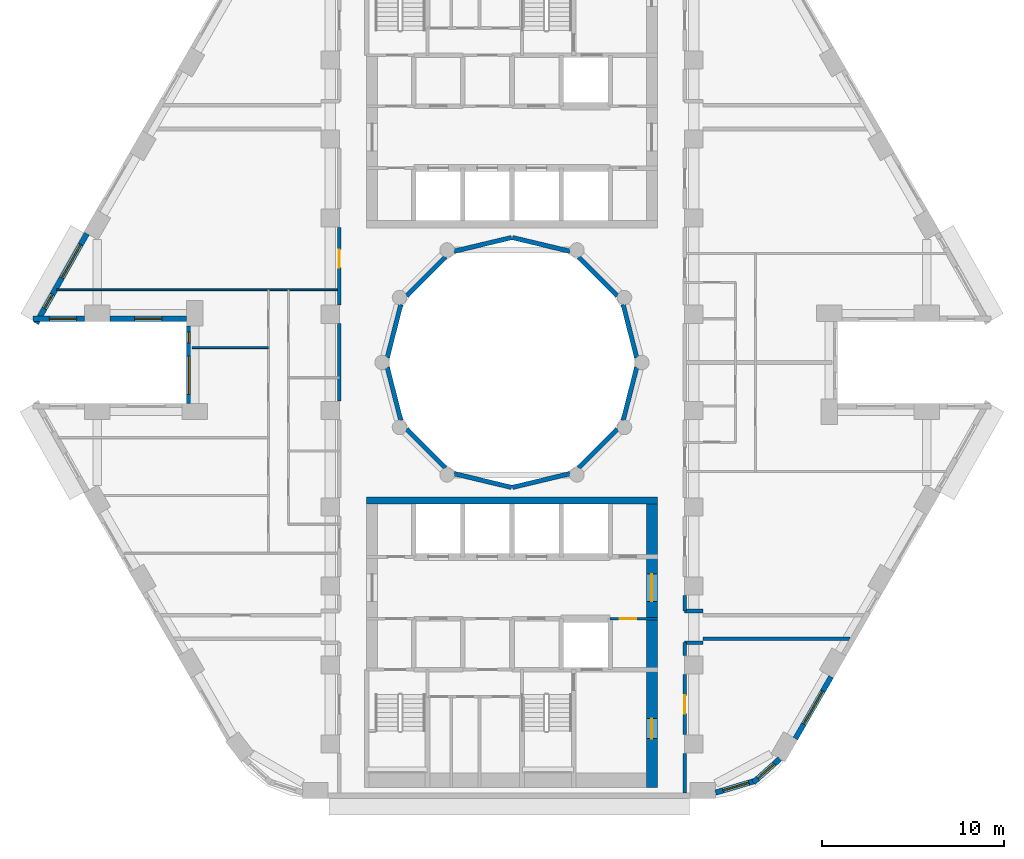
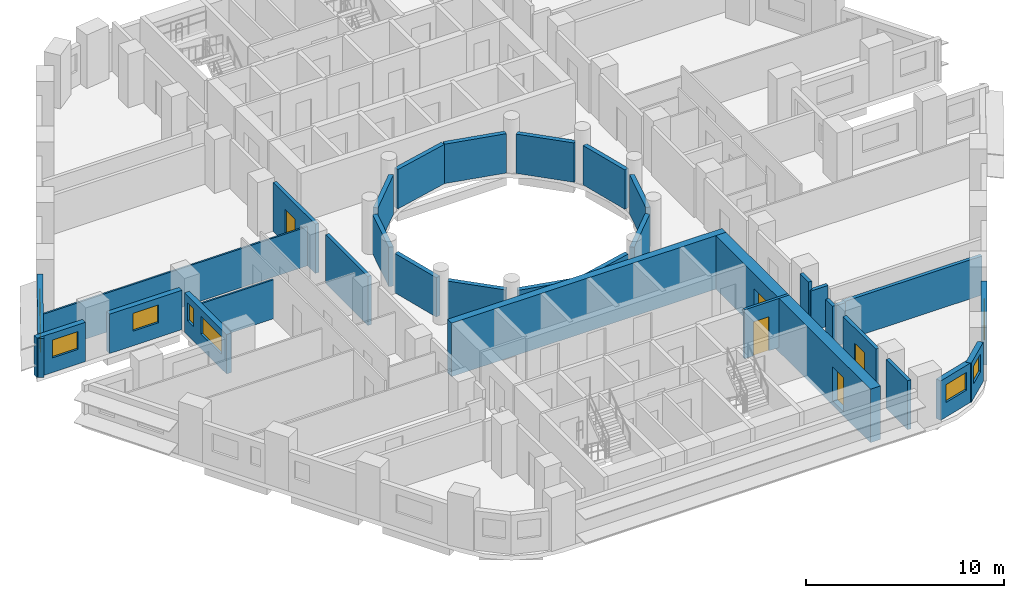
# One storey, part 5 of 12: 33 walls, 9 windows, 5 doors, 14 openings.
"""IFC4 building model written with IfcOpenShell, lengths in metres."""

from ifc_helpers import new_model, si_unit, direction, frame, frame_2d, origin, place, context, subcontext, project, spatial, rectangle, extrude, material, layer, layer_set, type_object, element, fill, save


model = new_model("IFC4")

# Units and contexts
model_context = context("Model", 3, precision=1e-05, world=origin(), true_north=direction((0.0, 1.0)))
body_context = subcontext(model_context, "Body", "Model", "MODEL_VIEW")
ifc_project = project(units=[si_unit("LENGTHUNIT", "METRE"), si_unit("AREAUNIT", "SQUARE_METRE"), si_unit("VOLUMEUNIT", "CUBIC_METRE"), si_unit("PLANEANGLEUNIT", "RADIAN"), si_unit("MASSUNIT", "GRAM", prefix="KILO")], contexts=[model_context])

# Site, building, storey
site_placement = place(None, origin())
site = spatial("IfcSite", under=ifc_project, at=site_placement, CompositionType="ELEMENT")
building_placement = place(site_placement, origin())
building = spatial("IfcBuilding", under=site, at=building_placement, Name="Nakaniwa Court", CompositionType="ELEMENT")
storey_placement = place(building_placement, frame((0.0, 0.0, 90.89990234375)))
storey = spatial("IfcBuildingStorey", under=building, at=storey_placement, Name="L23", CompositionType="ELEMENT", Elevation=90.89990234375)

# Wall
ifc_material_1 = material(Name="Acoustic double stud partition")
ifc_layer_1 = layer(ifc_material_1, 0.199951171875)
ifc_layer_set_1 = layer_set([ifc_layer_1], Name="Acoustic double stud partition")
wall_type_1 = type_object("IfcWallType", Name="Acoustic double stud partition 200", PredefinedType="PARTITIONING", material=ifc_layer_set_1)
wall_1_placement = place(storey_placement, frame((89.5, 56.300048828125, 0.0), z_axis=(0.0, 0.0, 1.0), x_axis=(0.0, 1.0, 0.0)))
element("IfcWall", 1, at=wall_1_placement, inside=storey, type_object=wall_type_1, Name="Partition PW-069", PredefinedType="PARTITIONING", context=body_context, shape_type="SweptSolid", body=[
    extrude(rectangle(XDim=2.182861328125, YDim=0.199951171875, at=frame_2d((1.09130859375, 0.0))), origin(), (0.0, 0.0, 1.0), 3.025146484375),
])

# Wall, opening, door
wall_2_placement = place(storey_placement, frame((89.5, 62.8330078125, 0.0), z_axis=(0.0, 0.0, 1.0), x_axis=(0.0, -1.0, 0.0)))
wall_2 = element("IfcWall", 2, at=wall_2_placement, inside=storey, type_object=wall_type_1, Name="Partition PW-070", PredefinedType="PARTITIONING", context=body_context, shape_type="SweptSolid", body=[
    extrude(rectangle(XDim=3.31591796875, YDim=0.199951171875, at=frame_2d((1.657958984375, 0.0))), origin(), (0.0, 0.0, 1.0), 3.025146484375),
])
opening_1_placement = place(wall_2_placement, frame((1.157958984375, 0.0, 0.0)))
opening_1 = element("IfcOpeningElement", 3, at=opening_1_placement, cuts=wall_2, Name="Opening D-02-01", PredefinedType="OPENING", context=body_context, shape_type="SweptSolid", body=[
    extrude(rectangle(XDim=1.0, YDim=2.10009765625, at=frame_2d((0.5, 1.050048828125))), frame((0.0, 0.10986328125, 0.0), z_axis=(0.0, -1.0, 0.0), x_axis=(1.0, 0.0, 0.0)), (0.0, 0.0, 1.0), 0.219970703125),
])
ifc_material_2 = material(Name="Solid core timber door set, black veneer", Category="wood")
door_type_1 = type_object("IfcDoorType", Name="Internal door 1000", OperationType="NOTDEFINED", PredefinedType="DOOR", material=ifc_material_2)
door_1_placement = place(opening_1_placement, origin())
door_1 = element("IfcDoor", 4, at=door_1_placement, inside=storey, type_object=door_type_1, Name="Door D-02-01 L23-027", OperationType="SINGLE_SWING_RIGHT", OverallHeight=2.10009765625, OverallWidth=1.0, PredefinedType="DOOR", context=body_context, shape_type="SweptSolid", body=[
    extrude(rectangle(XDim=1.0, YDim=2.10009765625, at=frame_2d((0.5, 1.050048828125))), frame((0.0, 0.02490234375, 0.0), z_axis=(0.0, -1.0, 0.0), x_axis=(1.0, 0.0, 0.0)), (0.0, 0.0, 1.0), 0.050048828125),
])
fill(opening_1, door_1)

# Walls
wall_3_placement = place(storey_placement, frame((89.5, 63.866943359375, 0.0), z_axis=(0.0, 0.0, 1.0), x_axis=(0.0, 1.0, 0.0)))
element("IfcWall", 5, at=wall_3_placement, inside=storey, type_object=wall_type_1, Name="Partition PW-071", PredefinedType="PARTITIONING", context=body_context, shape_type="SweptSolid", body=[
    extrude(rectangle(XDim=0.7109375, YDim=0.199951171875, at=frame_2d((0.35546875, 0.0))), origin(), (0.0, 0.0, 1.0), 3.025146484375),
])
wall_4_placement = place(storey_placement, frame((89.5, 66.322021484375, 0.0), z_axis=(0.0, 0.0, 1.0), x_axis=(0.0, 1.0, 0.0)))
element("IfcWall", 6, at=wall_4_placement, inside=storey, type_object=wall_type_1, Name="Partition PW-072", PredefinedType="PARTITIONING", context=body_context, shape_type="SweptSolid", body=[
    extrude(rectangle(XDim=0.861083984375, YDim=0.199951171875, at=frame_2d((0.4306640625, 0.0))), origin(), (0.0, 0.0, 1.0), 3.025146484375),
])
wall_5_placement = place(storey_placement, frame((90.5, 64.800048828125, 0.0), z_axis=(0.0, 0.0, 1.0), x_axis=(1.0, 0.0, 0.0)))
element("IfcWall", 7, at=wall_5_placement, inside=storey, type_object=wall_type_1, Name="Partition PW-088", PredefinedType="PARTITIONING", context=body_context, shape_type="SweptSolid", body=[
    extrude(rectangle(XDim=8.0908203125, YDim=0.199951171875, at=frame_2d((4.04541015625, 0.0))), origin(), (0.0, 0.0, 1.0), 2.405029296875),
])
for number, where, z_axis, x_axis, name in (
    (8, (89.5, 64.574951171875, 0.0), (0.0, 0.0, 1.0), (1.0, 0.0, 0.0), "Partition PW-090"),
    (9, (89.5, 66.324951171875, 0.0), (0.0, 0.0, 1.0), (1.0, 0.0, 0.0), "Partition PW-092"),
):
    element("IfcWall", number, at=place(storey_placement, frame(where, z_axis=z_axis, x_axis=x_axis)), inside=storey, type_object=wall_type_1, Name=name, PredefinedType="PARTITIONING", context=body_context, shape_type="SweptSolid", body=[
        extrude(rectangle(XDim=1.0, YDim=0.199951171875, at=frame_2d((0.5, 0.0))), origin(), (0.0, 0.0, 1.0), 2.505126953125),
    ])
wall_6_placement = place(storey_placement, frame((70.5, 77.866943359375, 0.0), z_axis=(0.0, 0.0, 1.0), x_axis=(0.0, 1.0, 0.0)))
element("IfcWall", 10, at=wall_6_placement, inside=storey, type_object=wall_type_1, Name="Partition PW-101", PredefinedType="PARTITIONING", context=body_context, shape_type="SweptSolid", body=[
    extrude(rectangle(XDim=4.26611328125, YDim=0.199951171875, at=frame_2d((2.133056640625, 0.0))), origin(), (0.0, 0.0, 1.0), 3.025146484375),
])

# Wall, opening, door
wall_7_placement = place(storey_placement, frame((70.5, 83.1669921875, 0.0), z_axis=(0.0, 0.0, 1.0), x_axis=(0.0, 1.0, 0.0)))
wall_7 = element("IfcWall", 11, at=wall_7_placement, inside=storey, type_object=wall_type_1, Name="Partition PW-102", PredefinedType="PARTITIONING", context=body_context, shape_type="SweptSolid", body=[
    extrude(rectangle(XDim=4.26611328125, YDim=0.199951171875, at=frame_2d((2.133056640625, 0.0))), origin(), (0.0, 0.0, 1.0), 3.025146484375),
])
opening_2_placement = place(wall_7_placement, frame((2.048095703125, 0.0, 0.0)))
opening_2 = element("IfcOpeningElement", 12, at=opening_2_placement, cuts=wall_7, Name="Opening D-02-05", PredefinedType="OPENING", context=body_context, shape_type="SweptSolid", body=[
    extrude(rectangle(XDim=1.0, YDim=2.10009765625, at=frame_2d((0.5, 1.050048828125))), frame((0.0, 0.10986328125, 0.0), z_axis=(0.0, -1.0, 0.0), x_axis=(1.0, 0.0, 0.0)), (0.0, 0.0, 1.0), 0.219970703125),
])
door_2_placement = place(opening_2_placement, origin())
door_2 = element("IfcDoor", 13, at=door_2_placement, inside=storey, type_object=door_type_1, Name="Door D-02-05 L23-047", OperationType="SINGLE_SWING_RIGHT", OverallHeight=2.10009765625, OverallWidth=1.0, PredefinedType="DOOR", context=body_context, shape_type="SweptSolid", body=[
    extrude(rectangle(XDim=1.0, YDim=2.10009765625, at=frame_2d((0.5, 1.050048828125))), frame((0.0, 0.02490234375, 0.0), z_axis=(0.0, -1.0, 0.0), x_axis=(1.0, 0.0, 0.0)), (0.0, 0.0, 1.0), 0.050048828125),
])
fill(opening_2, door_2)

# Wall, openings, windows
ifc_material_3 = material(Name="Charcoal ceramic cladding")
ifc_layer_2 = layer(ifc_material_3, 0.02, Name="Ceramic cladding")
ifc_material_4 = material(Name="Ventilated air cavity")
ifc_layer_3 = layer(ifc_material_4, 0.04, ventilated=True, Name="Ventilated cavity")
ifc_material_5 = material(Name="Mineral wool insulation")
ifc_layer_4 = layer(ifc_material_5, 0.1, Name="Insulation")
ifc_material_6 = material(Name="Cement bonded sheathing board")
ifc_layer_5 = layer(ifc_material_6, 0.012, Name="Sheathing")
ifc_material_7 = material(Name="Cold-formed galvanised stud frame with mineral wool infill")
ifc_layer_6 = layer(ifc_material_7, 0.1, Name="Stud frame")
ifc_material_8 = material(Name="Fire-rated gypsum plasterboard lining")
ifc_layer_7 = layer(ifc_material_8, 0.028, Name="Lining")
ifc_layer_set_2 = layer_set([ifc_layer_2, ifc_layer_3, ifc_layer_4, ifc_layer_5, ifc_layer_6, ifc_layer_7], Name="Charcoal ceramic faced external wall system")
wall_type_2 = type_object("IfcWallType", Name="Black ceramic faced external wall 300", PredefinedType="SOLIDWALL", material=ifc_layer_set_2)
wall_8_placement = place(storey_placement, frame((56.609375, 87.09375, 0.0), z_axis=(0.0, 0.0, 1.0), x_axis=(-0.492456858874, -0.870336855561, 0.0)))
wall_8 = element("IfcWall", 14, at=wall_8_placement, inside=storey, type_object=wall_type_2, Name="L23 external wall 14", PredefinedType="SOLIDWALL", context=body_context, shape_type="SweptSolid", body=[
    extrude(rectangle(XDim=5.676513671875, YDim=0.300048828125, at=frame_2d((2.83837890625, 0.0))), origin(), (0.0, 0.0, 1.0), 2.425048828125),
])
opening_3_placement = place(wall_8_placement, frame((0.69189453125, 0.0, 0.89990234375)))
opening_3 = element("IfcOpeningElement", 15, at=opening_3_placement, cuts=wall_8, Name="Opening W7.15", PredefinedType="OPENING", context=body_context, shape_type="SweptSolid", body=[
    extrude(rectangle(XDim=2.10009765625, YDim=1.10009765625, at=frame_2d((1.050048828125, 0.550048828125))), frame((0.0, 0.159912109375, 0.0), z_axis=(0.0, -1.0, 0.0), x_axis=(1.0, 0.0, 0.0)), (0.0, 0.0, 1.0), 0.320068359375),
])
opening_4_placement = place(wall_8_placement, frame((3.841552734375, 0.0, 0.89990234375)))
opening_4 = element("IfcOpeningElement", 16, at=opening_4_placement, cuts=wall_8, Name="Opening W9.16", PredefinedType="OPENING", context=body_context, shape_type="SweptSolid", body=[
    extrude(rectangle(XDim=0.89990234375, YDim=1.10009765625, at=frame_2d((0.449951171875, 0.550048828125))), frame((0.0, 0.159912109375, 0.0), z_axis=(0.0, -1.0, 0.0), x_axis=(1.0, 0.0, 0.0)), (0.0, 0.0, 1.0), 0.320068359375),
])
ifc_material_9 = material(Name="Black anodised aluminium frame with dark low-E laminated double glazing", Category="aluminium")
window_type_1 = type_object("IfcWindowType", Name="Dark glass window 2100x1100 sill 900", PartitioningType="SINGLE_PANEL", PredefinedType="WINDOW", material=ifc_material_9)
window_1_placement = place(opening_3_placement, origin())
window_1 = element("IfcWindow", 17, at=window_1_placement, inside=storey, type_object=window_type_1, Name="L23 habitable room window 14-0", OverallHeight=1.10009765625, OverallWidth=2.10009765625, PartitioningType="SINGLE_PANEL", PredefinedType="WINDOW", context=body_context, shape_type="SweptSolid", body=[
    extrude(rectangle(XDim=2.10009765625, YDim=1.10009765625, at=frame_2d((1.050048828125, 0.550048828125))), frame((0.0, 0.030029296875, 0.0), z_axis=(0.0, -1.0, 0.0), x_axis=(1.0, 0.0, 0.0)), (0.0, 0.0, 1.0), 0.06005859375),
])
fill(opening_3, window_1)
window_type_2 = type_object("IfcWindowType", Name="Dark glass window 900x1100 sill 900", PartitioningType="SINGLE_PANEL", PredefinedType="WINDOW", material=ifc_material_9)
window_2_placement = place(opening_4_placement, origin())
window_2 = element("IfcWindow", 18, at=window_2_placement, inside=storey, type_object=window_type_2, Name="L23 bedroom window 14-1", OverallHeight=1.10009765625, OverallWidth=0.89990234375, PartitioningType="SINGLE_PANEL", PredefinedType="WINDOW", context=body_context, shape_type="SweptSolid", body=[
    extrude(rectangle(XDim=0.89990234375, YDim=1.10009765625, at=frame_2d((0.449951171875, 0.550048828125))), frame((0.0, 0.030029296875, 0.0), z_axis=(0.0, -1.0, 0.0), x_axis=(1.0, 0.0, 0.0)), (0.0, 0.0, 1.0), 0.06005859375),
])
fill(opening_4, window_2)

# Wall, opening, window
wall_9_placement = place(storey_placement, frame((53.643310546875, 82.39990234375, 0.0), z_axis=(0.0, 0.0, 1.0), x_axis=(1.0, 0.0, 0.0)))
wall_9 = element("IfcWall", 19, at=wall_9_placement, inside=storey, type_object=wall_type_2, Name="L23 external wall 15", PredefinedType="SOLIDWALL", context=body_context, shape_type="SweptSolid", body=[
    extrude(rectangle(XDim=2.837890625, YDim=0.300048828125, at=frame_2d((1.4189453125, 0.0))), origin(), (0.0, 0.0, 1.0), 2.425048828125),
])
opening_5_placement = place(wall_9_placement, frame((0.893798828125, 0.0, 0.89990234375)))
opening_5 = element("IfcOpeningElement", 20, at=opening_5_placement, cuts=wall_9, Name="Opening W5.17", PredefinedType="OPENING", context=body_context, shape_type="SweptSolid", body=[
    extrude(rectangle(XDim=1.5, YDim=1.10009765625, at=frame_2d((0.75, 0.550048828125))), frame((0.0, 0.159912109375, 0.0), z_axis=(0.0, -1.0, 0.0), x_axis=(1.0, 0.0, 0.0)), (0.0, 0.0, 1.0), 0.320068359375),
])
window_type_3 = type_object("IfcWindowType", Name="Dark glass window 1500x1100 sill 900", PartitioningType="SINGLE_PANEL", PredefinedType="WINDOW", material=ifc_material_9)
window_3_placement = place(opening_5_placement, origin())
window_3 = element("IfcWindow", 21, at=window_3_placement, inside=storey, type_object=window_type_3, Name="L23 bedroom window 15-0", OverallHeight=1.10009765625, OverallWidth=1.5, PartitioningType="SINGLE_PANEL", PredefinedType="WINDOW", context=body_context, shape_type="SweptSolid", body=[
    extrude(rectangle(XDim=1.5, YDim=1.10009765625, at=frame_2d((0.75, 0.550048828125))), frame((0.0, 0.030029296875, 0.0), z_axis=(0.0, -1.0, 0.0), x_axis=(1.0, 0.0, 0.0)), (0.0, 0.0, 1.0), 0.06005859375),
])
fill(opening_5, window_3)

wall_10_placement = place(storey_placement, frame((57.873046875, 82.39990234375, 0.0), z_axis=(0.0, 0.0, 1.0), x_axis=(1.0, 0.0, 0.0)))
wall_10 = element("IfcWall", 22, at=wall_10_placement, inside=storey, type_object=wall_type_2, Name="L23 external wall 16", PredefinedType="SOLIDWALL", context=body_context, shape_type="SweptSolid", body=[
    extrude(rectangle(XDim=4.22265625, YDim=0.300048828125, at=frame_2d((2.111328125, 0.0))), origin(), (0.0, 0.0, 1.0), 2.425048828125),
])
opening_6_placement = place(wall_10_placement, frame((1.361328125, 0.0, 0.89990234375)))
opening_6 = element("IfcOpeningElement", 23, at=opening_6_placement, cuts=wall_10, Name="Opening W5.18", PredefinedType="OPENING", context=body_context, shape_type="SweptSolid", body=[
    extrude(rectangle(XDim=1.5, YDim=1.10009765625, at=frame_2d((0.75, 0.550048828125))), frame((0.0, 0.159912109375, 0.0), z_axis=(0.0, -1.0, 0.0), x_axis=(1.0, 0.0, 0.0)), (0.0, 0.0, 1.0), 0.320068359375),
])
window_4_placement = place(opening_6_placement, origin())
window_4 = element("IfcWindow", 24, at=window_4_placement, inside=storey, type_object=window_type_3, Name="L23 bedroom window 16-0", OverallHeight=1.10009765625, OverallWidth=1.5, PartitioningType="SINGLE_PANEL", PredefinedType="WINDOW", context=body_context, shape_type="SweptSolid", body=[
    extrude(rectangle(XDim=1.5, YDim=1.10009765625, at=frame_2d((0.75, 0.550048828125))), frame((0.0, 0.030029296875, 0.0), z_axis=(0.0, -1.0, 0.0), x_axis=(1.0, 0.0, 0.0)), (0.0, 0.0, 1.0), 0.06005859375),
])
fill(opening_6, window_4)

# Wall, openings, windows
wall_11_placement = place(storey_placement, frame((62.24169921875, 82.00390625, 0.0), z_axis=(0.0, 0.0, 1.0), x_axis=(0.0, -1.0, 0.0)))
wall_11 = element("IfcWall", 25, at=wall_11_placement, inside=storey, type_object=wall_type_2, Name="L23 external wall 17", PredefinedType="SOLIDWALL", context=body_context, shape_type="SweptSolid", body=[
    extrude(rectangle(XDim=4.2578125, YDim=0.300048828125, at=frame_2d((2.12890625, 0.0))), origin(), (0.0, 0.0, 1.0), 2.425048828125),
])
opening_7_placement = place(wall_11_placement, frame((0.318603515625, 0.0, 0.89990234375)))
opening_7 = element("IfcOpeningElement", 26, at=opening_7_placement, cuts=wall_11, Name="Opening W8.19", PredefinedType="OPENING", context=body_context, shape_type="SweptSolid", body=[
    extrude(rectangle(XDim=0.60009765625, YDim=1.10009765625, at=frame_2d((0.300048828125, 0.550048828125))), frame((0.0, 0.159912109375, 0.0), z_axis=(0.0, -1.0, 0.0), x_axis=(1.0, 0.0, 0.0)), (0.0, 0.0, 1.0), 0.320068359375),
])
opening_8_placement = place(wall_11_placement, frame((1.660400390625, 0.0, 0.89990234375)))
opening_8 = element("IfcOpeningElement", 27, at=opening_8_placement, cuts=wall_11, Name="Opening W7.20", PredefinedType="OPENING", context=body_context, shape_type="SweptSolid", body=[
    extrude(rectangle(XDim=2.10009765625, YDim=1.10009765625, at=frame_2d((1.050048828125, 0.550048828125))), frame((0.0, 0.159912109375, 0.0), z_axis=(0.0, -1.0, 0.0), x_axis=(1.0, 0.0, 0.0)), (0.0, 0.0, 1.0), 0.320068359375),
])
window_5_placement = place(opening_8_placement, origin())
window_5 = element("IfcWindow", 28, at=window_5_placement, inside=storey, type_object=window_type_1, Name="L23 living window 17-1", OverallHeight=1.10009765625, OverallWidth=2.10009765625, PartitioningType="SINGLE_PANEL", PredefinedType="WINDOW", context=body_context, shape_type="SweptSolid", body=[
    extrude(rectangle(XDim=2.10009765625, YDim=1.10009765625, at=frame_2d((1.050048828125, 0.550048828125))), frame((0.0, 0.030029296875, 0.0), z_axis=(0.0, -1.0, 0.0), x_axis=(1.0, 0.0, 0.0)), (0.0, 0.0, 1.0), 0.06005859375),
])
fill(opening_8, window_5)
window_type_4 = type_object("IfcWindowType", Name="Dark glass window 600x1100 sill 900", PartitioningType="SINGLE_PANEL", PredefinedType="WINDOW", material=ifc_material_9)
window_6_placement = place(opening_7_placement, origin())
window_6 = element("IfcWindow", 29, at=window_6_placement, inside=storey, type_object=window_type_4, Name="L23 bedroom window 17-0", OverallHeight=1.10009765625, OverallWidth=0.60009765625, PartitioningType="SINGLE_PANEL", PredefinedType="WINDOW", context=body_context, shape_type="SweptSolid", body=[
    extrude(rectangle(XDim=0.60009765625, YDim=1.10009765625, at=frame_2d((0.300048828125, 0.550048828125))), frame((0.0, 0.030029296875, 0.0), z_axis=(0.0, -1.0, 0.0), x_axis=(1.0, 0.0, 0.0)), (0.0, 0.0, 1.0), 0.06005859375),
])
fill(opening_7, window_6)

# Wall, opening, window
wall_12_placement = place(storey_placement, frame((91.203369140625, 56.329833984375, 0.0), z_axis=(0.0, 0.0, 1.0), x_axis=(0.95847736903, 0.285168604614, 0.0)))
wall_12 = element("IfcWall", 30, at=wall_12_placement, inside=storey, type_object=wall_type_2, Name="L23 external wall 27", PredefinedType="SOLIDWALL", context=body_context, shape_type="SweptSolid", body=[
    extrude(rectangle(XDim=2.261962890625, YDim=0.300048828125, at=frame_2d((1.130859375, 0.0))), origin(), (0.0, 0.0, 1.0), 2.425048828125),
])
opening_9_placement = place(wall_12_placement, frame((0.418701171875, 0.0, 0.89990234375)))
opening_9 = element("IfcOpeningElement", 31, at=opening_9_placement, cuts=wall_12, Name="Opening W5.31", PredefinedType="OPENING", context=body_context, shape_type="SweptSolid", body=[
    extrude(rectangle(XDim=1.5, YDim=1.10009765625, at=frame_2d((0.75, 0.550048828125))), frame((0.0, 0.159912109375, 0.0), z_axis=(0.0, -1.0, 0.0), x_axis=(1.0, 0.0, 0.0)), (0.0, 0.0, 1.0), 0.320068359375),
])
window_7_placement = place(opening_9_placement, origin())
window_7 = element("IfcWindow", 32, at=window_7_placement, inside=storey, type_object=window_type_3, Name="L23 habitable room window 27-0", OverallHeight=1.10009765625, OverallWidth=1.5, PartitioningType="SINGLE_PANEL", PredefinedType="WINDOW", context=body_context, shape_type="SweptSolid", body=[
    extrude(rectangle(XDim=1.5, YDim=1.10009765625, at=frame_2d((0.75, 0.550048828125))), frame((0.0, 0.030029296875, 0.0), z_axis=(0.0, -1.0, 0.0), x_axis=(1.0, 0.0, 0.0)), (0.0, 0.0, 1.0), 0.06005859375),
])
fill(opening_9, window_7)

wall_13_placement = place(storey_placement, frame((93.283447265625, 56.88671875, 0.0), z_axis=(0.0, 0.0, 1.0), x_axis=(0.743785734967, 0.668418117992, 0.0)))
wall_13 = element("IfcWall", 33, at=wall_13_placement, inside=storey, type_object=wall_type_2, Name="L23 external wall 28", PredefinedType="SOLIDWALL", context=body_context, shape_type="SweptSolid", body=[
    extrude(rectangle(XDim=1.9501953125, YDim=0.300048828125, at=frame_2d((0.97509765625, 0.0))), origin(), (0.0, 0.0, 1.0), 2.425048828125),
])
opening_10_placement = place(wall_13_placement, frame((0.334716796875, 0.0, 0.89990234375)))
opening_10 = element("IfcOpeningElement", 34, at=opening_10_placement, cuts=wall_13, Name="Opening W6.32", PredefinedType="OPENING", context=body_context, shape_type="SweptSolid", body=[
    extrude(rectangle(XDim=1.199951171875, YDim=1.10009765625, at=frame_2d((0.60009765625, 0.550048828125))), frame((0.0, 0.159912109375, 0.0), z_axis=(0.0, -1.0, 0.0), x_axis=(1.0, 0.0, 0.0)), (0.0, 0.0, 1.0), 0.320068359375),
])
window_type_5 = type_object("IfcWindowType", Name="Dark glass window 1200x1100 sill 900", PartitioningType="SINGLE_PANEL", PredefinedType="WINDOW", material=ifc_material_9)
window_8_placement = place(opening_10_placement, origin())
window_8 = element("IfcWindow", 35, at=window_8_placement, inside=storey, type_object=window_type_5, Name="L23 habitable room window 28-0", OverallHeight=1.10009765625, OverallWidth=1.199951171875, PartitioningType="SINGLE_PANEL", PredefinedType="WINDOW", context=body_context, shape_type="SweptSolid", body=[
    extrude(rectangle(XDim=1.199951171875, YDim=1.10009765625, at=frame_2d((0.60009765625, 0.550048828125))), frame((0.0, 0.030029296875, 0.0), z_axis=(0.0, -1.0, 0.0), x_axis=(1.0, 0.0, 0.0)), (0.0, 0.0, 1.0), 0.06005859375),
])
fill(opening_10, window_8)

wall_14_placement = place(storey_placement, frame((95.59033203125, 59.30322265625, 0.0), z_axis=(0.0, 0.0, 1.0), x_axis=(0.500003583557, 0.866023334807, 0.0)))
wall_14 = element("IfcWall", 36, at=wall_14_placement, inside=storey, type_object=wall_type_2, Name="L23 external wall 29", PredefinedType="SOLIDWALL", context=body_context, shape_type="SweptSolid", body=[
    extrude(rectangle(XDim=3.93408203125, YDim=0.300048828125, at=frame_2d((1.967041015625, 0.0))), origin(), (0.0, 0.0, 1.0), 2.425048828125),
])
opening_11_placement = place(wall_14_placement, frame((0.9169921875, 0.0, 0.89990234375)))
opening_11 = element("IfcOpeningElement", 37, at=opening_11_placement, cuts=wall_14, Name="Opening W7.33", PredefinedType="OPENING", context=body_context, shape_type="SweptSolid", body=[
    extrude(rectangle(XDim=2.10009765625, YDim=1.10009765625, at=frame_2d((1.050048828125, 0.550048828125))), frame((0.0, 0.159912109375, 0.0), z_axis=(0.0, -1.0, 0.0), x_axis=(1.0, 0.0, 0.0)), (0.0, 0.0, 1.0), 0.320068359375),
])
window_9_placement = place(opening_11_placement, origin())
window_9 = element("IfcWindow", 38, at=window_9_placement, inside=storey, type_object=window_type_1, Name="L23 habitable room window 29-0", OverallHeight=1.10009765625, OverallWidth=2.10009765625, PartitioningType="SINGLE_PANEL", PredefinedType="WINDOW", context=body_context, shape_type="SweptSolid", body=[
    extrude(rectangle(XDim=2.10009765625, YDim=1.10009765625, at=frame_2d((1.050048828125, 0.550048828125))), frame((0.0, 0.030029296875, 0.0), z_axis=(0.0, -1.0, 0.0), x_axis=(1.0, 0.0, 0.0)), (0.0, 0.0, 1.0), 0.06005859375),
])
fill(opening_11, window_9)

# Wall, opening, door
ifc_material_10 = material(Name="Blockwork partition", Category="masonry")
ifc_layer_8 = layer(ifc_material_10, 0.14990234375)
ifc_layer_set_3 = layer_set([ifc_layer_8], Name="Blockwork partition")
wall_type_3 = type_object("IfcWallType", Name="Blockwork partition 150", PredefinedType="PARTITIONING", material=ifc_layer_set_3)
wall_15_placement = place(storey_placement, frame((88.0, 65.89990234375, 0.0), z_axis=(0.0, 0.0, 1.0), x_axis=(-1.0, 0.0, 0.0)))
wall_15 = element("IfcWall", 39, at=wall_15_placement, inside=storey, type_object=wall_type_3, Name="Partition PW-052", PredefinedType="PARTITIONING", context=body_context, shape_type="SweptSolid", body=[
    extrude(rectangle(XDim=2.60302734375, YDim=0.14990234375, at=frame_2d((1.301513671875, 0.0))), origin(), (0.0, 0.0, 1.0), 3.025146484375),
])
opening_12_placement = place(wall_15_placement, frame((1.175048828125, 0.0, 0.0)))
opening_12 = element("IfcOpeningElement", 40, at=opening_12_placement, cuts=wall_15, Name="Opening D-05-13", PredefinedType="OPENING", context=body_context, shape_type="SweptSolid", body=[
    extrude(rectangle(XDim=0.89990234375, YDim=2.10009765625, at=frame_2d((0.449951171875, 1.050048828125))), frame((0.0, 0.0849609375, 0.0), z_axis=(0.0, -1.0, 0.0), x_axis=(1.0, 0.0, 0.0)), (0.0, 0.0, 1.0), 0.169921875),
])
ifc_material_11 = material(Name="Fire rated steel door set", Category="steel")
door_type_2 = type_object("IfcDoorType", Name="Service room door 900", OperationType="NOTDEFINED", PredefinedType="DOOR", material=ifc_material_11)
door_3_placement = place(opening_12_placement, origin())
door_3 = element("IfcDoor", 41, at=door_3_placement, inside=storey, type_object=door_type_2, Name="Door D-05-13 L23-020", OperationType="SINGLE_SWING_LEFT", OverallHeight=2.10009765625, OverallWidth=0.89990234375, PredefinedType="DOOR", context=body_context, shape_type="SweptSolid", body=[
    extrude(rectangle(XDim=0.89990234375, YDim=2.10009765625, at=frame_2d((0.449951171875, 1.050048828125))), frame((0.0, 0.02490234375, 0.0), z_axis=(0.0, -1.0, 0.0), x_axis=(1.0, 0.0, 0.0)), (0.0, 0.0, 1.0), 0.050048828125),
])
fill(opening_12, door_3)

# Walls
ifc_layer_9 = layer(ifc_material_3, 0.02, Name="Ceramic cladding")
ifc_layer_10 = layer(ifc_material_4, 0.04, ventilated=True, Name="Ventilated cavity")
ifc_layer_11 = layer(ifc_material_5, 0.075, Name="Insulation")
ifc_layer_12 = layer(ifc_material_6, 0.012, Name="Sheathing")
ifc_layer_13 = layer(ifc_material_7, 0.075, Name="Stud frame")
ifc_layer_14 = layer(ifc_material_8, 0.028, Name="Lining")
ifc_layer_set_4 = layer_set([ifc_layer_9, ifc_layer_10, ifc_layer_11, ifc_layer_12, ifc_layer_13, ifc_layer_14], Name="Charcoal ceramic faced external wall system")
wall_type_4 = type_object("IfcWallType", Name="Charcoal ceramic faced well wall 250", PredefinedType="SOLIDWALL", material=ifc_layer_set_4)
wall_16_placement = place(storey_placement, frame((86.8603515625, 79.72998046875, 0.0), z_axis=(0.0, 0.0, 1.0), x_axis=(-0.247055971283, -0.969001211069, 0.0)))
element("IfcWall", 42, at=wall_16_placement, inside=storey, type_object=wall_type_4, Name="L23 external wall 36", PredefinedType="SOLIDWALL", context=body_context, shape_type="SweptSolid", body=[
    extrude(rectangle(XDim=3.010009765625, YDim=0.25, at=frame_2d((1.5048828125, 0.0))), origin(), (0.0, 0.0, 1.0), 2.425048828125),
])
wall_17_placement = place(storey_placement, frame((85.8056640625, 76.339111328125, 0.0), z_axis=(0.0, 0.0, 1.0), x_axis=(-0.707106781187, -0.707106781187, 0.0)))
element("IfcWall", 43, at=wall_17_placement, inside=storey, type_object=wall_type_4, Name="L23 external wall 37", PredefinedType="SOLIDWALL", context=body_context, shape_type="SweptSolid", body=[
    extrude(rectangle(XDim=3.033203125, YDim=0.25, at=frame_2d((1.5166015625, 0.0))), origin(), (0.0, 0.0, 1.0), 2.425048828125),
])
for number, where, z_axis, x_axis, name in (
    (44, (83.186279296875, 73.880615234375, 0.0), (0.0, 0.0, 1.0), (-0.972773113459, -0.231759508395, 0.0), "L23 external wall 38"),
    (45, (79.970947265625, 73.12841796875, 0.0), (0.0, 0.0, 1.0), (-0.972773113459, 0.231759508395, 0.0), "L23 external wall 39"),
):
    element("IfcWall", number, at=place(storey_placement, frame(where, z_axis=z_axis, x_axis=x_axis)), inside=storey, type_object=wall_type_4, Name=name, PredefinedType="SOLIDWALL", context=body_context, shape_type="SweptSolid", body=[
        extrude(rectangle(XDim=3.24560546875, YDim=0.25, at=frame_2d((1.622802734375, 0.0))), origin(), (0.0, 0.0, 1.0), 2.425048828125),
    ])
wall_18_placement = place(storey_placement, frame((76.339111328125, 74.1943359375, 0.0), z_axis=(0.0, 0.0, 1.0), x_axis=(-0.707106781187, 0.707106781187, 0.0)))
element("IfcWall", 46, at=wall_18_placement, inside=storey, type_object=wall_type_4, Name="L23 external wall 40", PredefinedType="SOLIDWALL", context=body_context, shape_type="SweptSolid", body=[
    extrude(rectangle(XDim=3.033203125, YDim=0.25, at=frame_2d((1.5166015625, 0.0))), origin(), (0.0, 0.0, 1.0), 2.425048828125),
])
for number, where, z_axis, x_axis, name in (
    (47, (73.88330078125, 76.813232421875, 0.0), (0.0, 0.0, 1.0), (-0.247055971283, 0.969001211069, 0.0), "L23 external wall 41"),
    (48, (73.1396484375, 80.27001953125, 0.0), (0.0, 0.0, 1.0), (0.247055971283, 0.969001211069, 0.0), "L23 external wall 42"),
):
    element("IfcWall", number, at=place(storey_placement, frame(where, z_axis=z_axis, x_axis=x_axis)), inside=storey, type_object=wall_type_4, Name=name, PredefinedType="SOLIDWALL", context=body_context, shape_type="SweptSolid", body=[
        extrude(rectangle(XDim=3.010009765625, YDim=0.25, at=frame_2d((1.5048828125, 0.0))), origin(), (0.0, 0.0, 1.0), 2.425048828125),
    ])
wall_19_placement = place(storey_placement, frame((74.1943359375, 83.660888671875, 0.0), z_axis=(0.0, 0.0, 1.0), x_axis=(0.707106781187, 0.707106781187, 0.0)))
element("IfcWall", 49, at=wall_19_placement, inside=storey, type_object=wall_type_4, Name="L23 external wall 43", PredefinedType="SOLIDWALL", context=body_context, shape_type="SweptSolid", body=[
    extrude(rectangle(XDim=3.033203125, YDim=0.25, at=frame_2d((1.5166015625, 0.0))), origin(), (0.0, 0.0, 1.0), 2.425048828125),
])
for number, where, z_axis, x_axis, name in (
    (50, (76.813720703125, 86.119384765625, 0.0), (0.0, 0.0, 1.0), (0.972773113459, 0.231759508395, 0.0), "L23 external wall 44"),
    (51, (80.029052734375, 86.87158203125, 0.0), (0.0, 0.0, 1.0), (0.972773113459, -0.231759508395, 0.0), "L23 external wall 45"),
):
    element("IfcWall", number, at=place(storey_placement, frame(where, z_axis=z_axis, x_axis=x_axis)), inside=storey, type_object=wall_type_4, Name=name, PredefinedType="SOLIDWALL", context=body_context, shape_type="SweptSolid", body=[
        extrude(rectangle(XDim=3.24560546875, YDim=0.25, at=frame_2d((1.622802734375, 0.0))), origin(), (0.0, 0.0, 1.0), 2.425048828125),
    ])
wall_20_placement = place(storey_placement, frame((83.660888671875, 85.8056640625, 0.0), z_axis=(0.0, 0.0, 1.0), x_axis=(0.707106781187, -0.707106781187, 0.0)))
element("IfcWall", 52, at=wall_20_placement, inside=storey, type_object=wall_type_4, Name="L23 external wall 46", PredefinedType="SOLIDWALL", context=body_context, shape_type="SweptSolid", body=[
    extrude(rectangle(XDim=3.033203125, YDim=0.25, at=frame_2d((1.5166015625, 0.0))), origin(), (0.0, 0.0, 1.0), 2.425048828125),
])
wall_21_placement = place(storey_placement, frame((86.11669921875, 83.186767578125, 0.0), z_axis=(0.0, 0.0, 1.0), x_axis=(0.247055971283, -0.969001211069, 0.0)))
element("IfcWall", 53, at=wall_21_placement, inside=storey, type_object=wall_type_4, Name="L23 external wall 47", PredefinedType="SOLIDWALL", context=body_context, shape_type="SweptSolid", body=[
    extrude(rectangle(XDim=3.010009765625, YDim=0.25, at=frame_2d((1.5048828125, 0.0))), origin(), (0.0, 0.0, 1.0), 2.425048828125),
])

# Wall, openings, doors
ifc_material_12 = material(Name="Concrete C80/100", Category="concrete")
ifc_layer_15 = layer(ifc_material_12, 0.60009765625)
ifc_layer_set_5 = layer_set([ifc_layer_15], Name="Concrete C80/100")
wall_type_5 = type_object("IfcWallType", Name="Concrete core side wall 600 C80", PredefinedType="SHEAR", material=ifc_layer_set_5)
wall_22_placement = place(storey_placement, frame((87.699951171875, 72.199951171875, -0.27490234375), z_axis=(0.0, 0.0, 1.0), x_axis=(0.0, -1.0, 0.0)))
wall_22 = element("IfcWall", 54, at=wall_22_placement, inside=storey, type_object=wall_type_5, Name="Core wall SW-49", PredefinedType="SHEAR", context=body_context, shape_type="SweptSolid", body=[
    extrude(rectangle(XDim=15.599853515625, YDim=0.60009765625, at=frame_2d((7.7998046875, 0.0))), origin(), (0.0, 0.0, 1.0), 3.300048828125),
])
opening_13_placement = place(wall_22_placement, frame((3.85009765625, 0.0, 0.27490234375)))
opening_13 = element("IfcOpeningElement", 55, at=opening_13_placement, cuts=wall_22, Name="Opening D-07-03", PredefinedType="OPENING", context=body_context, shape_type="SweptSolid", body=[
    extrude(rectangle(XDim=1.5, YDim=2.10009765625, at=frame_2d((0.75, 1.050048828125))), frame((0.0, 0.31005859375, 0.0), z_axis=(0.0, -1.0, 0.0), x_axis=(1.0, 0.0, 0.0)), (0.0, 0.0, 1.0), 0.6201171875),
])
opening_14_placement = place(wall_22_placement, frame((11.800048828125, 0.0, 0.27490234375)))
opening_14 = element("IfcOpeningElement", 56, at=opening_14_placement, cuts=wall_22, Name="Opening D-10-02", PredefinedType="OPENING", context=body_context, shape_type="SweptSolid", body=[
    extrude(rectangle(XDim=1.10009765625, YDim=2.10009765625, at=frame_2d((0.550048828125, 1.050048828125))), frame((0.0, 0.31005859375, 0.0), z_axis=(0.0, -1.0, 0.0), x_axis=(1.0, 0.0, 0.0)), (0.0, 0.0, 1.0), 0.6201171875),
])
door_type_3 = type_object("IfcDoorType", Name="Firefighting lobby door 1100", OperationType="NOTDEFINED", PredefinedType="DOOR", material=ifc_material_11)
door_4_placement = place(opening_14_placement, origin())
door_4 = element("IfcDoor", 57, at=door_4_placement, inside=storey, type_object=door_type_3, Name="Door D-10-02 L23-056", OperationType="SINGLE_SWING_LEFT", OverallHeight=2.10009765625, OverallWidth=1.10009765625, PredefinedType="DOOR", context=body_context, shape_type="SweptSolid", body=[
    extrude(rectangle(XDim=1.10009765625, YDim=2.10009765625, at=frame_2d((0.550048828125, 1.050048828125))), frame((0.0, 0.02490234375, 0.0), z_axis=(0.0, -1.0, 0.0), x_axis=(1.0, 0.0, 0.0)), (0.0, 0.0, 1.0), 0.050048828125),
])
fill(opening_14, door_4)
ifc_material_13 = material(Name="Glazed fire rated steel double door set", Category="steel")
door_type_4 = type_object("IfcDoorType", Name="Lobby double door 1500", OperationType="NOTDEFINED", PredefinedType="DOOR", material=ifc_material_13)
door_5_placement = place(opening_13_placement, origin())
door_5 = element("IfcDoor", 58, at=door_5_placement, inside=storey, type_object=door_type_4, Name="Door D-07-03 L23-054", OperationType="DOUBLE_DOOR_SINGLE_SWING", OverallHeight=2.10009765625, OverallWidth=1.5, PredefinedType="DOOR", context=body_context, shape_type="SweptSolid", body=[
    extrude(rectangle(XDim=1.5, YDim=2.10009765625, at=frame_2d((0.75, 1.050048828125))), frame((0.0, 0.02490234375, 0.0), z_axis=(0.0, -1.0, 0.0), x_axis=(1.0, 0.0, 0.0)), (0.0, 0.0, 1.0), 0.050048828125),
])
fill(opening_13, door_5)

# Walls
ifc_layer_16 = layer(ifc_material_12, 0.39990234375)
ifc_layer_set_6 = layer_set([ifc_layer_16], Name="Concrete C80/100")
wall_type_6 = type_object("IfcWallType", Name="Concrete core well wall 400 C80", PredefinedType="SHEAR", material=ifc_layer_set_6)
wall_23_placement = place(storey_placement, frame((72.00390625, 72.39990234375, -0.27490234375), z_axis=(0.0, 0.0, 1.0), x_axis=(1.0, 0.0, 0.0)))
element("IfcWall", 59, at=wall_23_placement, inside=storey, type_object=wall_type_6, Name="Core wall SW-128", PredefinedType="SHEAR", context=body_context, shape_type="SweptSolid", body=[
    extrude(rectangle(XDim=15.9921875, YDim=0.39990234375, at=frame_2d((7.99609375, 0.0))), origin(), (0.0, 0.0, 1.0), 3.300048828125),
])
ifc_material_14 = material(Name="Single stud plasterboard partition")
ifc_layer_17 = layer(ifc_material_14, 0.10009765625)
ifc_layer_set_7 = layer_set([ifc_layer_17], Name="Single stud plasterboard partition")
wall_type_7 = type_object("IfcWallType", Name="Single stud plasterboard partition 100", PredefinedType="PARTITIONING", material=ifc_layer_set_7)
wall_24_placement = place(storey_placement, frame((54.943115234375, 84.0, 0.0), z_axis=(0.0, 0.0, 1.0), x_axis=(1.0, 0.0, 0.0)))
element("IfcWall", 60, at=wall_24_placement, inside=storey, type_object=wall_type_7, Name="Partition PW-120", PredefinedType="PARTITIONING", context=body_context, shape_type="SweptSolid", body=[
    extrude(rectangle(XDim=15.556884765625, YDim=0.10009765625, at=frame_2d((7.7783203125, 0.0))), origin(), (0.0, 0.0, 1.0), 2.405029296875),
])
wall_25_placement = place(storey_placement, frame((62.3916015625, 80.81689453125, 0.0), z_axis=(0.0, 0.0, 1.0), x_axis=(1.0, 0.0, 0.0)))
element("IfcWall", 61, at=wall_25_placement, inside=storey, type_object=wall_type_7, Name="Partition PW-125", PredefinedType="PARTITIONING", context=body_context, shape_type="SweptSolid", body=[
    extrude(rectangle(XDim=4.20849609375, YDim=0.10009765625, at=frame_2d((2.104248046875, 0.0))), origin(), (0.0, 0.0, 1.0), 2.405029296875),
])

save(model, "model.ifc")
